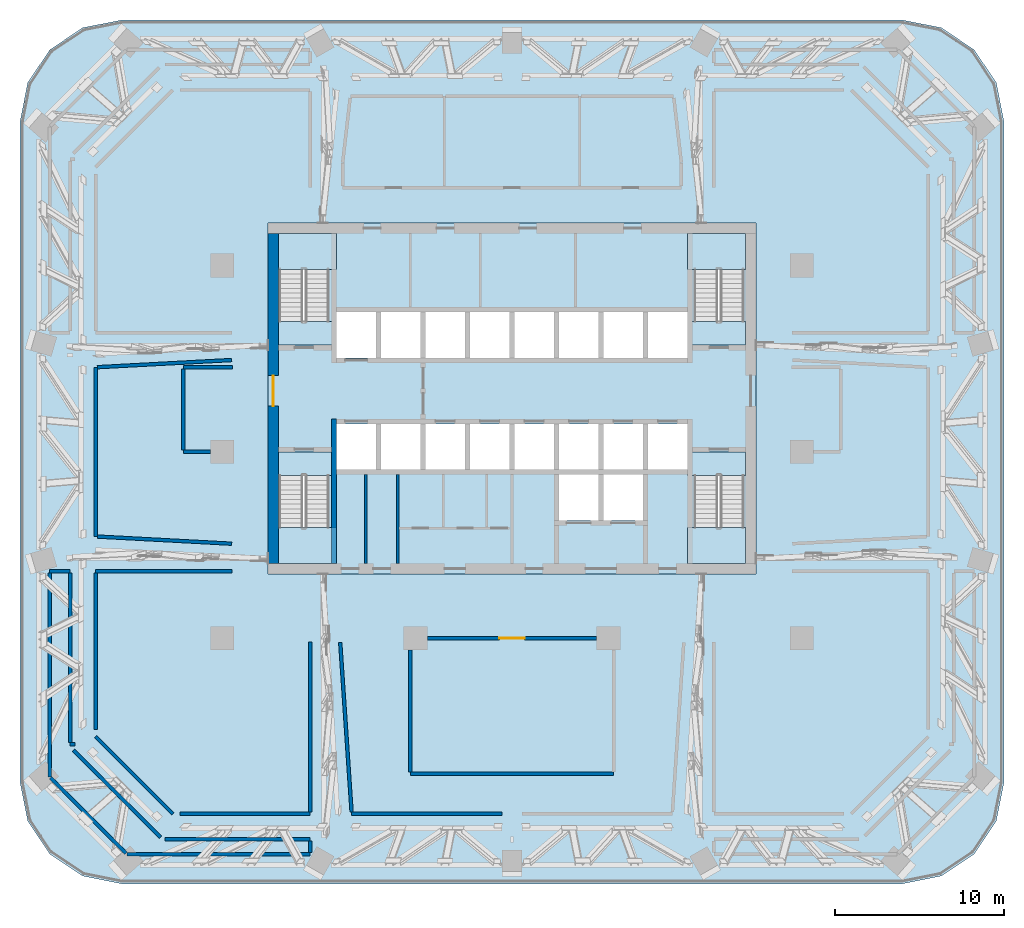
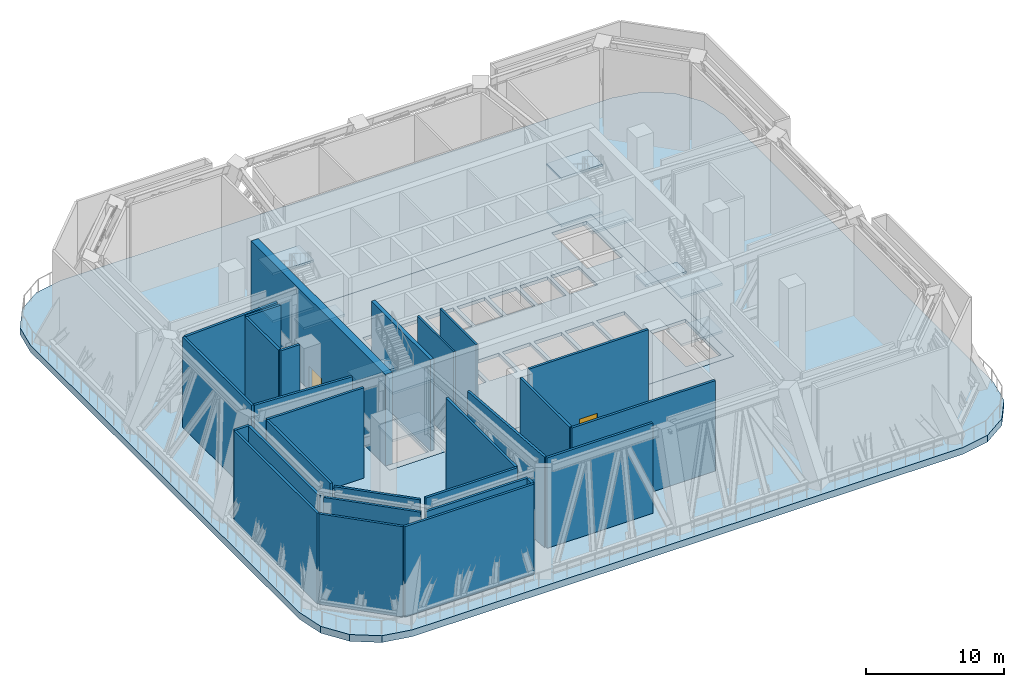
# One storey, part 5 of 24: 29 walls, 14 slabs, 2 doors, 2 openings, 4 elements without a shape of their own.
"""IFC4 building model written with IfcOpenShell, lengths in metres."""

from ifc_helpers import new_model, si_unit, direction, frame, frame_2d, origin, place, context, subcontext, project, spatial, polyline, rectangle, outline, extrude, material, layer, layer_set, type_object, element, fill, aggregate, save


model = new_model("IFC4")

# Units and contexts
model_context = context("Model", 3, precision=1e-05, world=origin(), true_north=direction((0.0, 1.0)))
body_context = subcontext(model_context, "Body", "Model", "MODEL_VIEW")
ifc_project = project(units=[si_unit("LENGTHUNIT", "METRE"), si_unit("AREAUNIT", "SQUARE_METRE"), si_unit("VOLUMEUNIT", "CUBIC_METRE"), si_unit("PLANEANGLEUNIT", "RADIAN"), si_unit("MASSUNIT", "GRAM", prefix="KILO")], contexts=[model_context])

# Site, building, storey
site_placement = place(None, origin())
site = spatial("IfcSite", under=ifc_project, at=site_placement, CompositionType="ELEMENT")
building_placement = place(site_placement, origin())
building = spatial("IfcBuilding", under=site, at=building_placement, Name="Mopane Tessera Tower", CompositionType="ELEMENT")
storey_placement = place(building_placement, frame((0.0, 0.0, 148.60009765625)))
storey = spatial("IfcBuildingStorey", under=building, at=storey_placement, Name="L30", CompositionType="ELEMENT", Elevation=148.60009765625)

# Slab
ifc_material_1 = material(Name="Concrete C40/50", Category="concrete")
ifc_layer_1 = layer(ifc_material_1, 0.300048828125)
ifc_layer_set_1 = layer_set([ifc_layer_1], Name="Concrete C40/50")
slab_type_1 = type_object("IfcSlabType", Name="Core floor slab 300 mm", PredefinedType="FLOOR", material=ifc_layer_set_1)
slab_1_placement = place(storey_placement, frame((0.0, 0.0, -0.300048828125)))
element("IfcSlab", 1, at=slab_1_placement, inside=storey, type_object=slab_type_1, Name="L30 core floor slab", PredefinedType="FLOOR", context=body_context, shape_type="SweptSolid", body=[
    extrude(outline(polyline([(-14.39990234375, -7.199951171875), (14.39990234375, -7.199951171875), (14.39990234375, 13.5), (-14.39990234375, 13.5), (-14.39990234375, -7.199951171875)]), holes=[polyline([(-10.35009765625, -1.050048828125), (-8.02490234375, -1.050048828125), (-8.02490234375, 1.64990234375), (-10.35009765625, 1.64990234375), (-10.35009765625, -1.050048828125)]), polyline([(-7.72509765625, -1.050048828125), (-5.39990234375, -1.050048828125), (-5.39990234375, 1.64990234375), (-7.72509765625, 1.64990234375), (-7.72509765625, -1.050048828125)]), polyline([(-5.10009765625, -1.050048828125), (-2.77490234375, -1.050048828125), (-2.77490234375, 1.64990234375), (-5.10009765625, 1.64990234375), (-5.10009765625, -1.050048828125)]), polyline([(-2.47509765625, -1.050048828125), (-0.14990234375, -1.050048828125), (-0.14990234375, 1.64990234375), (-2.47509765625, 1.64990234375), (-2.47509765625, -1.050048828125)]), polyline([(0.14990234375, -1.050048828125), (2.47509765625, -1.050048828125), (2.47509765625, 1.64990234375), (0.14990234375, 1.64990234375), (0.14990234375, -1.050048828125)]), polyline([(2.77490234375, -1.050048828125), (5.10009765625, -1.050048828125), (5.10009765625, 1.64990234375), (2.77490234375, 1.64990234375), (2.77490234375, -1.050048828125)]), polyline([(5.39990234375, -1.050048828125), (7.72509765625, -1.050048828125), (7.72509765625, 1.64990234375), (5.39990234375, 1.64990234375), (5.39990234375, -1.050048828125)]), polyline([(8.02490234375, -1.050048828125), (10.35009765625, -1.050048828125), (10.35009765625, 1.64990234375), (8.02490234375, 1.64990234375), (8.02490234375, -1.050048828125)]), polyline([(-10.35009765625, 5.550048828125), (-8.02490234375, 5.550048828125), (-8.02490234375, 8.25), (-10.35009765625, 8.25), (-10.35009765625, 5.550048828125)]), polyline([(-7.72509765625, 5.550048828125), (-5.39990234375, 5.550048828125), (-5.39990234375, 8.25), (-7.72509765625, 8.25), (-7.72509765625, 5.550048828125)]), polyline([(-5.10009765625, 5.550048828125), (-2.77490234375, 5.550048828125), (-2.77490234375, 8.25), (-5.10009765625, 8.25), (-5.10009765625, 5.550048828125)]), polyline([(-2.47509765625, 5.550048828125), (-0.14990234375, 5.550048828125), (-0.14990234375, 8.25), (-2.47509765625, 8.25), (-2.47509765625, 5.550048828125)]), polyline([(0.14990234375, 5.550048828125), (2.47509765625, 5.550048828125), (2.47509765625, 8.25), (0.14990234375, 8.25), (0.14990234375, 5.550048828125)]), polyline([(2.77490234375, 5.550048828125), (5.10009765625, 5.550048828125), (5.10009765625, 8.25), (2.77490234375, 8.25), (2.77490234375, 5.550048828125)]), polyline([(5.39990234375, 5.550048828125), (7.72509765625, 5.550048828125), (7.72509765625, 8.25), (5.39990234375, 8.25), (5.39990234375, 5.550048828125)]), polyline([(8.02490234375, 5.550048828125), (10.35009765625, 5.550048828125), (10.35009765625, 8.25), (8.02490234375, 8.25), (8.02490234375, 5.550048828125)]), polyline([(2.77490234375, -4.050048828125), (5.10009765625, -4.050048828125), (5.10009765625, -1.35009765625), (2.77490234375, -1.35009765625), (2.77490234375, -4.050048828125)]), polyline([(5.39990234375, -4.050048828125), (7.72509765625, -4.050048828125), (7.72509765625, -1.35009765625), (5.39990234375, -1.35009765625), (5.39990234375, -4.050048828125)]), polyline([(-13.75, -1.405029296875), (-13.75, -6.60009765625), (-10.800048828125, -6.60009765625), (-10.800048828125, -1.405029296875), (-13.75, -1.405029296875)]), polyline([(-10.800048828125, 7.705078125), (-10.800048828125, 12.89990234375), (-13.75, 12.89990234375), (-13.75, 7.705078125), (-10.800048828125, 7.705078125)]), polyline([(10.75, -1.405029296875), (10.75, -6.60009765625), (13.699951171875, -6.60009765625), (13.699951171875, -1.405029296875), (10.75, -1.405029296875)]), polyline([(13.699951171875, 7.705078125), (13.699951171875, 12.89990234375), (10.75, 12.89990234375), (10.75, 7.705078125), (13.699951171875, 7.705078125)])]), origin(), (0.0, 0.0, 1.0), 0.300048828125),
])

# Stair, slabs
ifc_material_2 = material(Name="Concrete C50/60", Category="concrete")
stair_type = type_object("IfcStairType", Name="Escape stair 1400 mm, riser 175 mm", PredefinedType="HALF_TURN_STAIR", material=ifc_material_2)
stair_1_placement = place(storey_placement, origin())
stair_1 = element("IfcStair", 2, at=stair_1_placement, inside=storey, type_object=stair_type, Name="L30 Escape stair south-west", PredefinedType="HALF_TURN_STAIR")
ifc_material_3 = material(Name="Concrete C50/60", Category="concrete")
ifc_layer_2 = layer(ifc_material_3, 0.199951171875)
ifc_layer_set_2 = layer_set([ifc_layer_2], Name="Concrete C50/60")
slab_type_2 = type_object("IfcSlabType", Name="Escape stair landing 200 mm", PredefinedType="LANDING", material=ifc_layer_set_2)
slab_2_placement = place(storey_placement, frame((0.0, 0.0, 1.89990234375)))
slab_2 = element("IfcSlab", 3, at=slab_2_placement, type_object=slab_type_2, Name="ST1 landing 1", PredefinedType="LANDING", context=body_context, shape_type="SweptSolid", body=[
    extrude(outline(polyline([(-13.800048828125, -4.47998046875), (-13.800048828125, -6.60009765625), (-10.35009765625, -6.60009765625), (-10.35009765625, -4.47998046875), (-13.800048828125, -4.47998046875)])), origin(), (0.0, 0.0, 1.0), 0.199951171875),
])
slab_3_placement = place(storey_placement, frame((0.0, 0.0, 4.0)))
slab_3 = element("IfcSlab", 4, at=slab_3_placement, type_object=slab_type_2, Name="ST1 landing 2", PredefinedType="LANDING", context=body_context, shape_type="SweptSolid", body=[
    extrude(outline(polyline([(-13.800048828125, 0.0), (-13.800048828125, -1.39990234375), (-10.35009765625, -1.39990234375), (-10.35009765625, 0.0), (-13.800048828125, 0.0)])), origin(), (0.0, 0.0, 1.0), 0.199951171875),
])
slab_4_placement = place(storey_placement, frame((0.0, 0.0, 6.099853515625)))
slab_4 = element("IfcSlab", 5, at=slab_4_placement, type_object=slab_type_2, Name="ST1 landing 3", PredefinedType="LANDING", context=body_context, shape_type="SweptSolid", body=[
    extrude(outline(polyline([(-13.800048828125, -4.47998046875), (-13.800048828125, -6.60009765625), (-10.35009765625, -6.60009765625), (-10.35009765625, -4.47998046875), (-13.800048828125, -4.47998046875)])), origin(), (0.0, 0.0, 1.0), 0.199951171875),
])
aggregate(stair_1, [slab_2, slab_3, slab_4])

stair_2_placement = place(storey_placement, origin())
stair_2 = element("IfcStair", 6, at=stair_2_placement, inside=storey, type_object=stair_type, Name="L30 Escape stair north-west", PredefinedType="HALF_TURN_STAIR")
slab_5_placement = place(storey_placement, frame((0.0, 0.0, 1.89990234375)))
slab_5 = element("IfcSlab", 7, at=slab_5_placement, type_object=slab_type_2, Name="ST2 landing 1", PredefinedType="LANDING", context=body_context, shape_type="SweptSolid", body=[
    extrude(outline(polyline([(-10.35009765625, 10.780029296875), (-10.35009765625, 12.89990234375), (-13.800048828125, 12.89990234375), (-13.800048828125, 10.780029296875), (-10.35009765625, 10.780029296875)])), origin(), (0.0, 0.0, 1.0), 0.199951171875),
])
slab_6_placement = place(storey_placement, frame((0.0, 0.0, 4.0)))
slab_6 = element("IfcSlab", 8, at=slab_6_placement, type_object=slab_type_2, Name="ST2 landing 2", PredefinedType="LANDING", context=body_context, shape_type="SweptSolid", body=[
    extrude(outline(polyline([(-10.35009765625, 6.300048828125), (-10.35009765625, 7.699951171875), (-13.800048828125, 7.699951171875), (-13.800048828125, 6.300048828125), (-10.35009765625, 6.300048828125)])), origin(), (0.0, 0.0, 1.0), 0.199951171875),
])
slab_7_placement = place(storey_placement, frame((0.0, 0.0, 6.099853515625)))
slab_7 = element("IfcSlab", 9, at=slab_7_placement, type_object=slab_type_2, Name="ST2 landing 3", PredefinedType="LANDING", context=body_context, shape_type="SweptSolid", body=[
    extrude(outline(polyline([(-10.35009765625, 10.780029296875), (-10.35009765625, 12.89990234375), (-13.800048828125, 12.89990234375), (-13.800048828125, 10.780029296875), (-10.35009765625, 10.780029296875)])), origin(), (0.0, 0.0, 1.0), 0.199951171875),
])
aggregate(stair_2, [slab_5, slab_6, slab_7])

stair_3_placement = place(storey_placement, origin())
stair_3 = element("IfcStair", 10, at=stair_3_placement, inside=storey, type_object=stair_type, Name="L30 Escape stair south-east", PredefinedType="HALF_TURN_STAIR")
slab_8_placement = place(storey_placement, frame((0.0, 0.0, 1.89990234375)))
slab_8 = element("IfcSlab", 11, at=slab_8_placement, type_object=slab_type_2, Name="ST3 landing 1", PredefinedType="LANDING", context=body_context, shape_type="SweptSolid", body=[
    extrude(outline(polyline([(10.35009765625, -4.47998046875), (10.35009765625, -6.60009765625), (13.800048828125, -6.60009765625), (13.800048828125, -4.47998046875), (10.35009765625, -4.47998046875)])), origin(), (0.0, 0.0, 1.0), 0.199951171875),
])
slab_9_placement = place(storey_placement, frame((0.0, 0.0, 4.0)))
slab_9 = element("IfcSlab", 12, at=slab_9_placement, type_object=slab_type_2, Name="ST3 landing 2", PredefinedType="LANDING", context=body_context, shape_type="SweptSolid", body=[
    extrude(outline(polyline([(10.35009765625, 0.0), (10.35009765625, -1.39990234375), (13.800048828125, -1.39990234375), (13.800048828125, 0.0), (10.35009765625, 0.0)])), origin(), (0.0, 0.0, 1.0), 0.199951171875),
])
slab_10_placement = place(storey_placement, frame((0.0, 0.0, 6.099853515625)))
slab_10 = element("IfcSlab", 13, at=slab_10_placement, type_object=slab_type_2, Name="ST3 landing 3", PredefinedType="LANDING", context=body_context, shape_type="SweptSolid", body=[
    extrude(outline(polyline([(10.35009765625, -4.47998046875), (10.35009765625, -6.60009765625), (13.800048828125, -6.60009765625), (13.800048828125, -4.47998046875), (10.35009765625, -4.47998046875)])), origin(), (0.0, 0.0, 1.0), 0.199951171875),
])
aggregate(stair_3, [slab_8, slab_9, slab_10])

stair_4_placement = place(storey_placement, origin())
stair_4 = element("IfcStair", 14, at=stair_4_placement, inside=storey, type_object=stair_type, Name="L30 Escape stair north-east", PredefinedType="HALF_TURN_STAIR")
slab_11_placement = place(storey_placement, frame((0.0, 0.0, 1.89990234375)))
slab_11 = element("IfcSlab", 15, at=slab_11_placement, type_object=slab_type_2, Name="ST4 landing 1", PredefinedType="LANDING", context=body_context, shape_type="SweptSolid", body=[
    extrude(outline(polyline([(13.800048828125, 10.780029296875), (13.800048828125, 12.89990234375), (10.35009765625, 12.89990234375), (10.35009765625, 10.780029296875), (13.800048828125, 10.780029296875)])), origin(), (0.0, 0.0, 1.0), 0.199951171875),
])
slab_12_placement = place(storey_placement, frame((0.0, 0.0, 4.0)))
slab_12 = element("IfcSlab", 16, at=slab_12_placement, type_object=slab_type_2, Name="ST4 landing 2", PredefinedType="LANDING", context=body_context, shape_type="SweptSolid", body=[
    extrude(outline(polyline([(13.800048828125, 6.300048828125), (13.800048828125, 7.699951171875), (10.35009765625, 7.699951171875), (10.35009765625, 6.300048828125), (13.800048828125, 6.300048828125)])), origin(), (0.0, 0.0, 1.0), 0.199951171875),
])
slab_13_placement = place(storey_placement, frame((0.0, 0.0, 6.099853515625)))
slab_13 = element("IfcSlab", 17, at=slab_13_placement, type_object=slab_type_2, Name="ST4 landing 3", PredefinedType="LANDING", context=body_context, shape_type="SweptSolid", body=[
    extrude(outline(polyline([(13.800048828125, 10.780029296875), (13.800048828125, 12.89990234375), (10.35009765625, 12.89990234375), (10.35009765625, 10.780029296875), (13.800048828125, 10.780029296875)])), origin(), (0.0, 0.0, 1.0), 0.199951171875),
])
aggregate(stair_4, [slab_11, slab_12, slab_13])

# Slab
ifc_material_4 = material(Name="Concrete C40/50", Category="concrete")
ifc_layer_3 = layer(ifc_material_4, 0.60009765625)
ifc_layer_set_3 = layer_set([ifc_layer_3], Name="Concrete C40/50")
slab_type_3 = type_object("IfcSlabType", Name="Post-tensioned flat plate 600 mm", PredefinedType="FLOOR", material=ifc_layer_set_3)
slab_14_placement = place(storey_placement, frame((0.0, 0.0, -0.60009765625)))
element("IfcSlab", 18, at=slab_14_placement, inside=storey, type_object=slab_type_3, Name="Floor slab L30", PredefinedType="FLOOR", context=body_context, shape_type="SweptSolid", body=[
    extrude(outline(polyline([(-23.050048828125, -25.5), (23.050048828125, -25.5), (25.34619140625, -25.043212890625), (27.292724609375, -23.74267578125), (28.59326171875, -21.796142578125), (29.050048828125, -19.5), (29.050048828125, 19.5), (28.59326171875, 21.796142578125), (27.292724609375, 23.74267578125), (25.34619140625, 25.043212890625), (23.050048828125, 25.5), (-23.050048828125, 25.5), (-25.34619140625, 25.043212890625), (-27.292724609375, 23.74267578125), (-28.59326171875, 21.796142578125), (-29.050048828125, 19.5), (-29.050048828125, -19.5), (-28.59326171875, -21.796142578125), (-27.292724609375, -23.74267578125), (-25.34619140625, -25.043212890625), (-23.050048828125, -25.5)]), holes=[polyline([(14.39990234375, -7.199951171875), (-14.39990234375, -7.199951171875), (-14.39990234375, 13.5), (14.39990234375, 13.5), (14.39990234375, -7.199951171875)])]), origin(), (0.0, 0.0, 1.0), 0.60009765625),
])

# Walls
ifc_material_5 = material(Name="Fire-rated gypsum board partition")
ifc_layer_4 = layer(ifc_material_5, 0.14990234375)
ifc_layer_set_4 = layer_set([ifc_layer_4], Name="Fire-rated gypsum board partition")
wall_type_1 = type_object("IfcWallType", Name="Core room partition 150 mm", PredefinedType="PARTITIONING", material=ifc_layer_set_4)
for number, where, z_axis, x_axis, name in (
    (19, (-8.625, -6.60009765625, 0.0), (0.0, 0.0, 1.0), (0.0, 1.0, 0.0), "L30 Room partition"),
    (20, (-6.75, -6.60009765625, 0.0), (0.0, 0.0, 1.0), (0.0, 1.0, 0.0), "L30 Room partition"),
):
    element("IfcWall", number, at=place(storey_placement, frame(where, z_axis=z_axis, x_axis=x_axis)), inside=storey, type_object=wall_type_1, Name=name, PredefinedType="PARTITIONING", context=body_context, shape_type="SweptSolid", body=[
        extrude(rectangle(XDim=5.25, YDim=0.14990234375, at=frame_2d((2.625, 0.0))), origin(), (0.0, 0.0, 1.0), 8.099853515625),
    ])

# Wall, opening, door
ifc_material_6 = material(Name="Concrete C70/85", Category="concrete")
ifc_layer_5 = layer(ifc_material_6, 0.60009765625)
ifc_layer_set_5 = layer_set([ifc_layer_5], Name="Concrete C70/85")
wall_type_2 = type_object("IfcWallType", Name="Core shear wall 600 mm", PredefinedType="SHEAR", material=ifc_layer_set_5)
wall_1_placement = place(storey_placement, frame((-14.10009765625, -6.60009765625, 0.0), z_axis=(0.0, 0.0, 1.0), x_axis=(0.0, 1.0, 0.0)))
wall_1 = element("IfcWall", 21, at=wall_1_placement, inside=storey, type_object=wall_type_2, Name="L30 Core wall west", PredefinedType="SHEAR", context=body_context, shape_type="SweptSolid", body=[
    extrude(rectangle(XDim=19.5, YDim=0.60009765625, at=frame_2d((9.75, 0.0))), origin(), (0.0, 0.0, 1.0), 8.099853515625),
])
opening_1_placement = place(wall_1_placement, frame((9.300048828125, 0.0, 0.0)))
opening_1 = element("IfcOpeningElement", 22, at=opening_1_placement, cuts=wall_1, Name="Opening SD2", PredefinedType="OPENING", context=body_context, shape_type="SweptSolid", body=[
    extrude(rectangle(XDim=1.800048828125, YDim=2.10009765625, at=frame_2d((0.89990234375, 1.050048828125))), frame((0.0, 0.31201171875, 0.0), z_axis=(0.0, -1.0, 0.0), x_axis=(1.0, 0.0, 0.0)), (0.0, 0.0, 1.0), 0.6240234375),
])
ifc_material_7 = material(Name="Steel fire door", Category="steel")
door_type_1 = type_object("IfcDoorType", Name="Core entrance double door 1800 x 2100", OperationType="DOUBLE_DOOR_SINGLE_SWING", PredefinedType="DOOR", material=ifc_material_7)
door_1_placement = place(opening_1_placement, origin())
door_1 = element("IfcDoor", 23, at=door_1_placement, inside=storey, type_object=door_type_1, Name="L30 Core entrance door west", OperationType="DOUBLE_DOOR_SINGLE_SWING", OverallHeight=2.10009765625, OverallWidth=1.800048828125, PredefinedType="DOOR", context=body_context, shape_type="SweptSolid", body=[
    extrude(rectangle(XDim=1.800048828125, YDim=2.10009765625, at=frame_2d((0.89990234375, 1.050048828125))), frame((0.0, 0.02490234375, 0.0), z_axis=(0.0, -1.0, 0.0), x_axis=(1.0, 0.0, 0.0)), (0.0, 0.0, 1.0), 0.050048828125),
])
fill(opening_1, door_1)

# Walls
ifc_material_8 = material(Name="Concrete C60/75", Category="concrete")
ifc_layer_6 = layer(ifc_material_8, 0.300048828125)
ifc_layer_set_6 = layer_set([ifc_layer_6], Name="Concrete C60/75")
wall_type_3 = type_object("IfcWallType", Name="Core spine wall 300 mm", PredefinedType="SHEAR", material=ifc_layer_set_6)
wall_2_placement = place(storey_placement, frame((-10.5, -6.60009765625, 0.0), z_axis=(0.0, 0.0, 1.0), x_axis=(0.0, 1.0, 0.0)))
element("IfcWall", 24, at=wall_2_placement, inside=storey, type_object=wall_type_3, Name="L30 Core spine wall", PredefinedType="SHEAR", context=body_context, shape_type="SweptSolid", body=[
    extrude(rectangle(XDim=8.550048828125, YDim=0.300048828125, at=frame_2d((4.27490234375, 0.0))), origin(), (0.0, 0.0, 1.0), 8.099853515625),
])
ifc_material_9 = material(Name="Gypsum board on steel studs, two layers each face, mineral wool infill", Category="steel")
ifc_layer_7 = layer(ifc_material_9, 0.199951171875)
ifc_layer_set_7 = layer_set([ifc_layer_7], Name="Gypsum board on steel studs, two layers each face, mineral wool infill")
wall_type_4 = type_object("IfcWallType", Name="Gypsum board corridor wall 200, rated EI 60", PredefinedType="PARTITIONING", material=ifc_layer_set_7)
wall_3_placement = place(storey_placement, frame((-22.739990234375, -23.75, 0.0), z_axis=(0.0, 0.0, 1.0), x_axis=(1.0, 0.0, 0.0)))
element("IfcWall", 25, at=wall_3_placement, inside=storey, type_object=wall_type_4, Name="Partition L30:000", PredefinedType="PARTITIONING", context=body_context, shape_type="SweptSolid", body=[
    extrude(rectangle(XDim=10.820068359375, YDim=0.199951171875, at=frame_2d((5.41015625, 0.0))), origin(), (0.0, 0.0, 1.0), 8.0),
])
wall_4_placement = place(storey_placement, frame((-20.485107421875, -22.8701171875, 0.0), z_axis=(0.0, 0.0, 1.0), x_axis=(1.0, 0.0, 0.0)))
element("IfcWall", 26, at=wall_4_placement, inside=storey, type_object=wall_type_4, Name="Partition L30:002", PredefinedType="PARTITIONING", context=body_context, shape_type="SweptSolid", body=[
    extrude(rectangle(XDim=8.565185546875, YDim=0.199951171875, at=frame_2d((4.28271484375, 0.0))), origin(), (0.0, 0.0, 1.0), 8.0),
])
wall_5_placement = place(storey_placement, frame((-19.60009765625, -21.3701171875, 0.0), z_axis=(0.0, 0.0, 1.0), x_axis=(1.0, 0.0, 0.0)))
element("IfcWall", 27, at=wall_5_placement, inside=storey, type_object=wall_type_4, Name="Partition L30:004", PredefinedType="PARTITIONING", context=body_context, shape_type="SweptSolid", body=[
    extrude(rectangle(XDim=7.68017578125, YDim=0.199951171875, at=frame_2d((3.840087890625, 0.0))), origin(), (0.0, 0.0, 1.0), 8.0),
])
wall_6_placement = place(storey_placement, frame((-9.465087890625, -21.3701171875, 0.0), z_axis=(0.0, 0.0, 1.0), x_axis=(1.0, 0.0, 0.0)))
element("IfcWall", 28, at=wall_6_placement, inside=storey, type_object=wall_type_4, Name="Partition L30:005", PredefinedType="PARTITIONING", context=body_context, shape_type="SweptSolid", body=[
    extrude(rectangle(XDim=8.864990234375, YDim=0.199951171875, at=frame_2d((4.4326171875, 0.0))), origin(), (0.0, 0.0, 1.0), 8.0),
])
wall_7_placement = place(storey_placement, frame((-6.0, -19.0, 0.0), z_axis=(0.0, 0.0, 1.0), x_axis=(1.0, 0.0, 0.0)))
element("IfcWall", 29, at=wall_7_placement, inside=storey, type_object=wall_type_4, Name="Partition L30:008", PredefinedType="PARTITIONING", context=body_context, shape_type="SweptSolid", body=[
    extrude(rectangle(XDim=12.0, YDim=0.199951171875, at=frame_2d((6.0, 0.0))), origin(), (0.0, 0.0, 1.0), 8.0),
])
wall_8_placement = place(storey_placement, frame((-26.0849609375, -17.27001953125, 0.0), z_axis=(0.0, 0.0, 1.0), x_axis=(1.0, 0.0, 0.0)))
element("IfcWall", 30, at=wall_8_placement, inside=storey, type_object=wall_type_4, Name="Partition L30:009", PredefinedType="PARTITIONING", context=body_context, shape_type="SweptSolid", body=[
    extrude(rectangle(XDim=0.284912109375, YDim=0.199951171875, at=frame_2d((0.142578125, 0.0))), origin(), (0.0, 0.0, 1.0), 8.0),
])

# Wall, opening, door
wall_9_placement = place(storey_placement, frame((-5.0, -11.0, 0.0), z_axis=(0.0, 0.0, 1.0), x_axis=(1.0, 0.0, 0.0)))
wall_9 = element("IfcWall", 31, at=wall_9_placement, inside=storey, type_object=wall_type_4, Name="Partition L30:011", PredefinedType="PARTITIONING", context=body_context, shape_type="SweptSolid", body=[
    extrude(rectangle(XDim=10.0, YDim=0.199951171875, at=frame_2d((5.0, 0.0))), origin(), (0.0, 0.0, 1.0), 8.0),
])
opening_2_placement = place(wall_9_placement, frame((4.25, 0.0, 0.0)))
opening_2 = element("IfcOpeningElement", 32, at=opening_2_placement, cuts=wall_9, Name="Opening L30-02", PredefinedType="OPENING", context=body_context, shape_type="SweptSolid", body=[
    extrude(rectangle(XDim=1.5, YDim=2.10009765625, at=frame_2d((0.75, 1.050048828125))), frame((0.0, 0.112060546875, 0.0), z_axis=(0.0, -1.0, 0.0), x_axis=(1.0, 0.0, 0.0)), (0.0, 0.0, 1.0), 0.223876953125),
])
ifc_material_10 = material(Name="Timber veneered steel-framed fire door", Category="steel")
door_type_2 = type_object("IfcDoorType", Name="Fire door pair FD60 1500 x 2100", OperationType="DOUBLE_DOOR_SINGLE_SWING", PredefinedType="DOOR", material=ifc_material_10)
door_2_placement = place(opening_2_placement, origin())
door_2 = element("IfcDoor", 33, at=door_2_placement, inside=storey, type_object=door_type_2, Name="Door L30-02", ObjectType="D17A", OperationType="DOUBLE_DOOR_SINGLE_SWING", OverallHeight=2.10009765625, OverallWidth=1.5, PredefinedType="DOOR", context=body_context, shape_type="SweptSolid", body=[
    extrude(rectangle(XDim=1.5, YDim=2.10009765625, at=frame_2d((0.75, 1.050048828125))), frame((0.0, 0.02490234375, 0.0), z_axis=(0.0, -1.0, 0.0), x_axis=(1.0, 0.0, 0.0)), (0.0, 0.0, 1.0), 0.050048828125),
])
fill(opening_2, door_2)

# Walls
wall_10_placement = place(storey_placement, frame((-27.300048828125, -7.0400390625, 0.0), z_axis=(0.0, 0.0, 1.0), x_axis=(1.0, 0.0, 0.0)))
element("IfcWall", 34, at=wall_10_placement, inside=storey, type_object=wall_type_4, Name="Partition L30:012", PredefinedType="PARTITIONING", context=body_context, shape_type="SweptSolid", body=[
    extrude(rectangle(XDim=1.215087890625, YDim=0.199951171875, at=frame_2d((0.607421875, 0.0))), origin(), (0.0, 0.0, 1.0), 8.0),
])
wall_11_placement = place(storey_placement, frame((-24.5849609375, -7.0400390625, 0.0), z_axis=(0.0, 0.0, 1.0), x_axis=(1.0, 0.0, 0.0)))
element("IfcWall", 35, at=wall_11_placement, inside=storey, type_object=wall_type_4, Name="Partition L30:013", PredefinedType="PARTITIONING", context=body_context, shape_type="SweptSolid", body=[
    extrude(rectangle(XDim=8.06494140625, YDim=0.199951171875, at=frame_2d((4.032470703125, 0.0))), origin(), (0.0, 0.0, 1.0), 8.0),
])
wall_12_placement = place(storey_placement, frame((-19.39990234375, 0.0, 0.0), z_axis=(0.0, 0.0, 1.0), x_axis=(1.0, 0.0, 0.0)))
element("IfcWall", 36, at=wall_12_placement, inside=storey, type_object=wall_type_4, Name="Partition L30:016", PredefinedType="PARTITIONING", context=body_context, shape_type="SweptSolid", body=[
    extrude(rectangle(XDim=1.599853515625, YDim=0.199951171875, at=frame_2d((0.7998046875, 0.0))), origin(), (0.0, 0.0, 1.0), 8.0),
])
wall_13_placement = place(storey_placement, frame((-19.39990234375, 5.0, 0.0), z_axis=(0.0, 0.0, 1.0), x_axis=(1.0, 0.0, 0.0)))
element("IfcWall", 37, at=wall_13_placement, inside=storey, type_object=wall_type_4, Name="Partition L30:018", PredefinedType="PARTITIONING", context=body_context, shape_type="SweptSolid", body=[
    extrude(rectangle(XDim=2.889892578125, YDim=0.199951171875, at=frame_2d((1.44482421875, 0.0))), origin(), (0.0, 0.0, 1.0), 8.0),
])
wall_14_placement = place(storey_placement, frame((-27.300048828125, -19.18994140625, 0.0), z_axis=(0.0, 0.0, 1.0), x_axis=(0.0, 1.0, 0.0)))
element("IfcWall", 38, at=wall_14_placement, inside=storey, type_object=wall_type_4, Name="Partition L30:036", PredefinedType="PARTITIONING", context=body_context, shape_type="SweptSolid", body=[
    extrude(rectangle(XDim=12.050048828125, YDim=0.199951171875, at=frame_2d((6.02490234375, 0.0))), origin(), (0.0, 0.0, 1.0), 8.0),
])
wall_15_placement = place(storey_placement, frame((-26.0849609375, -17.169921875, 0.0), z_axis=(0.0, 0.0, 1.0), x_axis=(0.0, 1.0, 0.0)))
element("IfcWall", 39, at=wall_15_placement, inside=storey, type_object=wall_type_4, Name="Partition L30:038", PredefinedType="PARTITIONING", context=body_context, shape_type="SweptSolid", body=[
    extrude(rectangle(XDim=10.030029296875, YDim=0.199951171875, at=frame_2d((5.01513671875, 0.0))), origin(), (0.0, 0.0, 1.0), 8.0),
])
wall_16_placement = place(storey_placement, frame((-24.5849609375, -16.39990234375, 0.0), z_axis=(0.0, 0.0, 1.0), x_axis=(0.0, 1.0, 0.0)))
element("IfcWall", 40, at=wall_16_placement, inside=storey, type_object=wall_type_4, Name="Partition L30:040", PredefinedType="PARTITIONING", context=body_context, shape_type="SweptSolid", body=[
    extrude(rectangle(XDim=9.260009765625, YDim=0.199951171875, at=frame_2d((4.6298828125, 0.0))), origin(), (0.0, 0.0, 1.0), 8.0),
])
wall_17_placement = place(storey_placement, frame((-24.5849609375, -4.9951171875, 0.0), z_axis=(0.0, 0.0, 1.0), x_axis=(0.0, 1.0, 0.0)))
element("IfcWall", 41, at=wall_17_placement, inside=storey, type_object=wall_type_4, Name="Partition L30:041", PredefinedType="PARTITIONING", context=body_context, shape_type="SweptSolid", body=[
    extrude(rectangle(XDim=9.990234375, YDim=0.199951171875, at=frame_2d((4.9951171875, 0.0))), origin(), (0.0, 0.0, 1.0), 8.0),
])
wall_18_placement = place(storey_placement, frame((-19.39990234375, 0.10009765625, 0.0), z_axis=(0.0, 0.0, 1.0), x_axis=(0.0, 1.0, 0.0)))
element("IfcWall", 42, at=wall_18_placement, inside=storey, type_object=wall_type_4, Name="Partition L30:043", PredefinedType="PARTITIONING", context=body_context, shape_type="SweptSolid", body=[
    extrude(rectangle(XDim=4.7998046875, YDim=0.199951171875, at=frame_2d((2.39990234375, 0.0))), origin(), (0.0, 0.0, 1.0), 8.0),
])
wall_19_placement = place(storey_placement, frame((-11.919921875, -23.64990234375, 0.0), z_axis=(0.0, 0.0, 1.0), x_axis=(0.0, 1.0, 0.0)))
element("IfcWall", 43, at=wall_19_placement, inside=storey, type_object=wall_type_4, Name="Partition L30:044", PredefinedType="PARTITIONING", context=body_context, shape_type="SweptSolid", body=[
    extrude(rectangle(XDim=0.679931640625, YDim=0.199951171875, at=frame_2d((0.33984375, 0.0))), origin(), (0.0, 0.0, 1.0), 8.0),
])
wall_20_placement = place(storey_placement, frame((-11.919921875, -21.27001953125, 0.0), z_axis=(0.0, 0.0, 1.0), x_axis=(0.0, 1.0, 0.0)))
element("IfcWall", 44, at=wall_20_placement, inside=storey, type_object=wall_type_4, Name="Partition L30:045", PredefinedType="PARTITIONING", context=body_context, shape_type="SweptSolid", body=[
    extrude(rectangle(XDim=10.050048828125, YDim=0.199951171875, at=frame_2d((5.02490234375, 0.0))), origin(), (0.0, 0.0, 1.0), 8.0),
])
wall_21_placement = place(storey_placement, frame((-6.0, -18.89990234375, 0.0), z_axis=(0.0, 0.0, 1.0), x_axis=(0.0, 1.0, 0.0)))
element("IfcWall", 45, at=wall_21_placement, inside=storey, type_object=wall_type_4, Name="Partition L30:049", PredefinedType="PARTITIONING", context=body_context, shape_type="SweptSolid", body=[
    extrude(rectangle(XDim=7.199951171875, YDim=0.199951171875, at=frame_2d((3.60009765625, 0.0))), origin(), (0.0, 0.0, 1.0), 8.0),
])
wall_22_placement = place(storey_placement, frame((-25.89892578125, -17.615966796875, 0.0), z_axis=(0.0, 0.0, 1.0), x_axis=(0.707106781187, -0.707106781187, 0.0)))
element("IfcWall", 46, at=wall_22_placement, inside=storey, type_object=wall_type_4, Name="Partition L30:067", PredefinedType="PARTITIONING", context=body_context, shape_type="SweptSolid", body=[
    extrude(rectangle(XDim=7.267578125, YDim=0.199951171875, at=frame_2d((3.6337890625, 0.0))), origin(), (0.0, 0.0, 1.0), 8.0),
])
wall_23_placement = place(storey_placement, frame((-22.7890625, -23.700927734375, 0.0), z_axis=(0.0, 0.0, 1.0), x_axis=(-0.707106781187, 0.707106781187, 0.0)))
element("IfcWall", 47, at=wall_23_placement, inside=storey, type_object=wall_type_4, Name="Partition L30:069", PredefinedType="PARTITIONING", context=body_context, shape_type="SweptSolid", body=[
    extrude(rectangle(XDim=6.31005859375, YDim=0.199951171875, at=frame_2d((3.155029296875, 0.0))), origin(), (0.0, 0.0, 1.0), 8.0),
])
for number, where, z_axis, x_axis, name in (
    (48, (-16.550048828125, -5.423095703125, 0.0), (0.0, 0.0, 1.0), (-0.998581523525, 0.053244162829, 0.0), "Partition L30:082"),
    (49, (-24.485107421875, 5.0, 0.0), (0.0, 0.0, 1.0), (0.998581523525, 0.053244162829, 0.0), "Partition L30:083"),
):
    element("IfcWall", number, at=place(storey_placement, frame(where, z_axis=z_axis, x_axis=x_axis)), inside=storey, type_object=wall_type_4, Name=name, PredefinedType="PARTITIONING", context=body_context, shape_type="SweptSolid", body=[
        extrude(rectangle(XDim=7.9462890625, YDim=0.199951171875, at=frame_2d((3.97314453125, 0.0))), origin(), (0.0, 0.0, 1.0), 8.0),
    ])
wall_24_placement = place(storey_placement, frame((-20.02490234375, -21.3701171875, 0.0), z_axis=(0.0, 0.0, 1.0), x_axis=(-0.707106781187, 0.707106781187, 0.0)))
element("IfcWall", 50, at=wall_24_placement, inside=storey, type_object=wall_type_4, Name="Partition L30:085", PredefinedType="PARTITIONING", context=body_context, shape_type="SweptSolid", body=[
    extrude(rectangle(XDim=6.448974609375, YDim=0.199951171875, at=frame_2d((3.224609375, 0.0))), origin(), (0.0, 0.0, 1.0), 8.0),
])
wall_25_placement = place(storey_placement, frame((-9.471923828125, -21.27001953125, 0.0), z_axis=(0.0, 0.0, 1.0), x_axis=(-0.066830422332, 0.997764348256, 0.0)))
element("IfcWall", 51, at=wall_25_placement, inside=storey, type_object=wall_type_4, Name="Partition L30:087", PredefinedType="PARTITIONING", context=body_context, shape_type="SweptSolid", body=[
    extrude(rectangle(XDim=10.04248046875, YDim=0.199951171875, at=frame_2d((5.021240234375, 0.0))), origin(), (0.0, 0.0, 1.0), 8.0),
])

save(model, "model.ifc")
